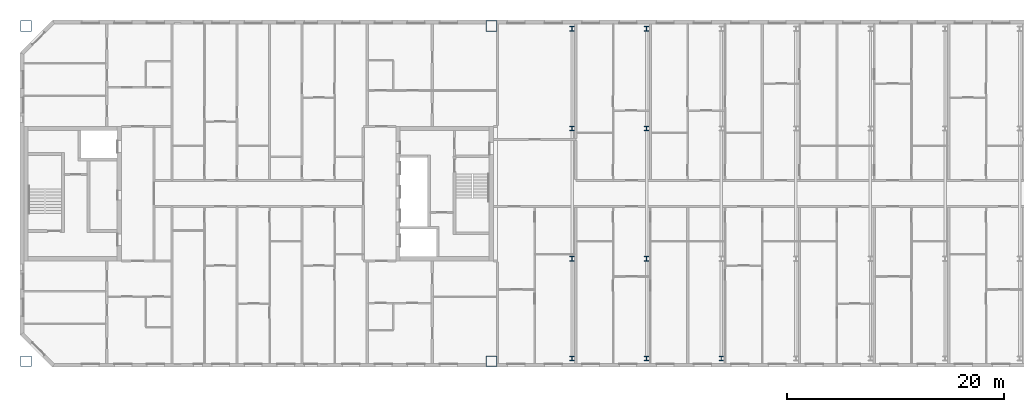
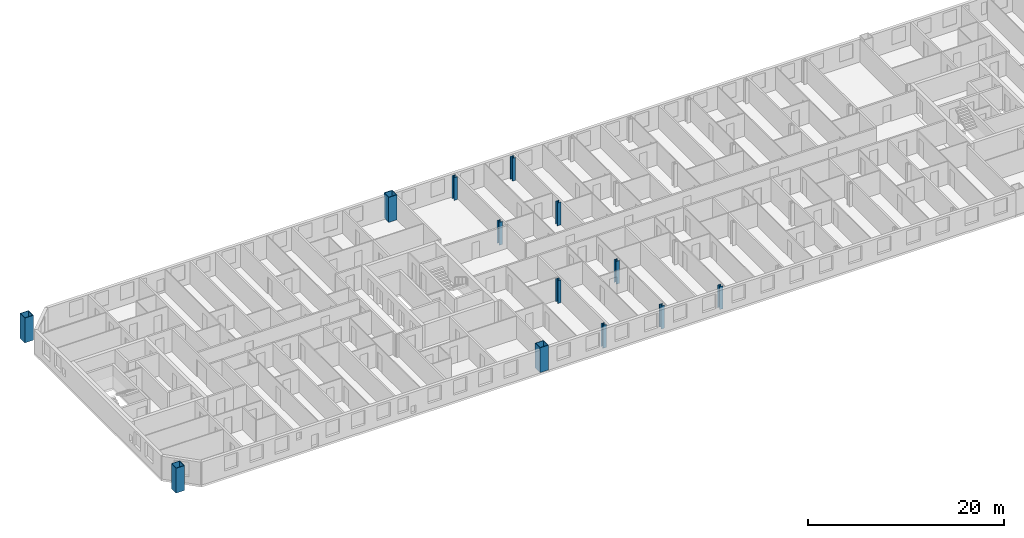
# One storey, part 1 of 19: 13 columns.
"""IFC4 building model written with IfcOpenShell, lengths in metres."""

from ifc_helpers import new_model, si_unit, direction, frame, origin, origin_2d, place, context, subcontext, project, spatial, hollow_rectangle, i_section, extrude, material, material_profile, profile_set, type_object, element, save


model = new_model("IFC4")

# Units and contexts
model_context = context("Model", 3, precision=1e-05, world=origin(), true_north=direction((0.0, 1.0)))
body_context = subcontext(model_context, "Body", "Model", "MODEL_VIEW")
ifc_project = project(units=[si_unit("LENGTHUNIT", "METRE"), si_unit("AREAUNIT", "SQUARE_METRE"), si_unit("VOLUMEUNIT", "CUBIC_METRE"), si_unit("PLANEANGLEUNIT", "RADIAN"), si_unit("MASSUNIT", "GRAM", prefix="KILO")], contexts=[model_context])

# Site, building, storey
site_placement = place(None, origin())
site = spatial("IfcSite", under=ifc_project, at=site_placement, CompositionType="ELEMENT")
building_placement = place(site_placement, origin())
building = spatial("IfcBuilding", under=site, at=building_placement, Name="Tuart Gate Housing", CompositionType="ELEMENT")
storey_placement = place(building_placement, frame((0.0, 0.0, 224.5)))
storey = spatial("IfcBuildingStorey", under=building, at=storey_placement, Name="L63", CompositionType="ELEMENT", Elevation=224.5)

# Columns
ifc_material_1 = material(Name="Steel Grade 350", Category="steel")
ifc_material_profile_1 = material_profile(ifc_material_1, i_section(OverallWidth=0.39990234375, OverallDepth=0.429931640625, WebThickness=0.0400390625, FlangeThickness=0.0400390625, at=origin_2d()), Name="400WC361")
ifc_profile_set_1 = profile_set([ifc_material_profile_1], Name="Steel Grade 350")
column_type_1 = type_object("IfcColumnType", Name="Link column 400 WC361", PredefinedType="COLUMN", material=ifc_profile_set_1)
for number, where, z_axis, x_axis, name in (
    (1, (82.875, 54.800048828125, 0.0), (0.0, 0.0, 1.0), (1.0, 0.0, 0.0), "Link column line 1 point 1 L63"),
    (2, (89.75, 54.800048828125, 0.0), (0.0, 0.0, 1.0), (1.0, 0.0, 0.0), "Link column line 1 point 2 L63"),
    (3, (96.625, 54.800048828125, 0.0), (0.0, 0.0, 1.0), (1.0, 0.0, 0.0), "Link column line 1 point 3 L63"),
    (4, (82.875, 64.0, 0.0), (0.0, 0.0, 1.0), (1.0, 0.0, 0.0), "Link column line 2 point 1 L63"),
    (5, (89.75, 64.0, 0.0), (0.0, 0.0, 1.0), (1.0, 0.0, 0.0), "Link column line 2 point 2 L63"),
    (6, (82.875, 76.0, 0.0), (0.0, 0.0, 1.0), (1.0, 0.0, 0.0), "Link column line 3 point 1 L63"),
    (7, (89.75, 76.0, 0.0), (0.0, 0.0, 1.0), (1.0, 0.0, 0.0), "Link column line 3 point 2 L63"),
    (8, (82.875, 85.199951171875, 0.0), (0.0, 0.0, 1.0), (1.0, 0.0, 0.0), "Link column line 4 point 1 L63"),
    (9, (89.75, 85.199951171875, 0.0), (0.0, 0.0, 1.0), (1.0, 0.0, 0.0), "Link column line 4 point 2 L63"),
):
    element("IfcColumn", number, at=place(storey_placement, frame(where, z_axis=z_axis, x_axis=x_axis)), inside=storey, type_object=column_type_1, Name=name, PredefinedType="COLUMN", context=body_context, shape_type="SweptSolid", body=[
        extrude(i_section(OverallWidth=0.39990234375, OverallDepth=0.429931640625, WebThickness=0.0400390625, FlangeThickness=0.0400390625, at=origin_2d()), origin(), (0.0, 0.0, 1.0), 2.85009765625),
    ])
ifc_material_2 = material(Name="Steel Grade 350", Category="steel")
ifc_material_profile_2 = material_profile(ifc_material_2, hollow_rectangle(XDim=1.0, YDim=1.0, WallThickness=0.054931640625, at=origin_2d()), Name="BOX 1000x1000x55")
ifc_profile_set_2 = profile_set([ifc_material_profile_2], Name="Steel Grade 350")
column_type_2 = type_object("IfcColumnType", Name="Mega column BOX 1000x1000x55", PredefinedType="COLUMN", material=ifc_profile_set_2)
for number, where, z_axis, x_axis, name in (
    (10, (32.550048828125, 54.550048828125, 0.0), (0.0, 0.0, 1.0), (1.0, 0.0, 0.0), "Mega column A south-west L63"),
    (11, (75.449951171875, 54.550048828125, 0.0), (0.0, 0.0, 1.0), (1.0, 0.0, 0.0), "Mega column A south-east L63"),
    (12, (75.449951171875, 85.449951171875, 0.0), (0.0, 0.0, 1.0), (1.0, 0.0, 0.0), "Mega column A north-east L63"),
    (13, (32.550048828125, 85.449951171875, 0.0), (0.0, 0.0, 1.0), (1.0, 0.0, 0.0), "Mega column A north-west L63"),
):
    element("IfcColumn", number, at=place(storey_placement, frame(where, z_axis=z_axis, x_axis=x_axis)), inside=storey, type_object=column_type_2, Name=name, PredefinedType="COLUMN", context=body_context, shape_type="SweptSolid", body=[
        extrude(hollow_rectangle(XDim=1.0, YDim=1.0, WallThickness=0.054931640625, at=origin_2d()), origin(), (0.0, 0.0, 1.0), 3.10009765625),
    ])

save(model, "model.ifc")
